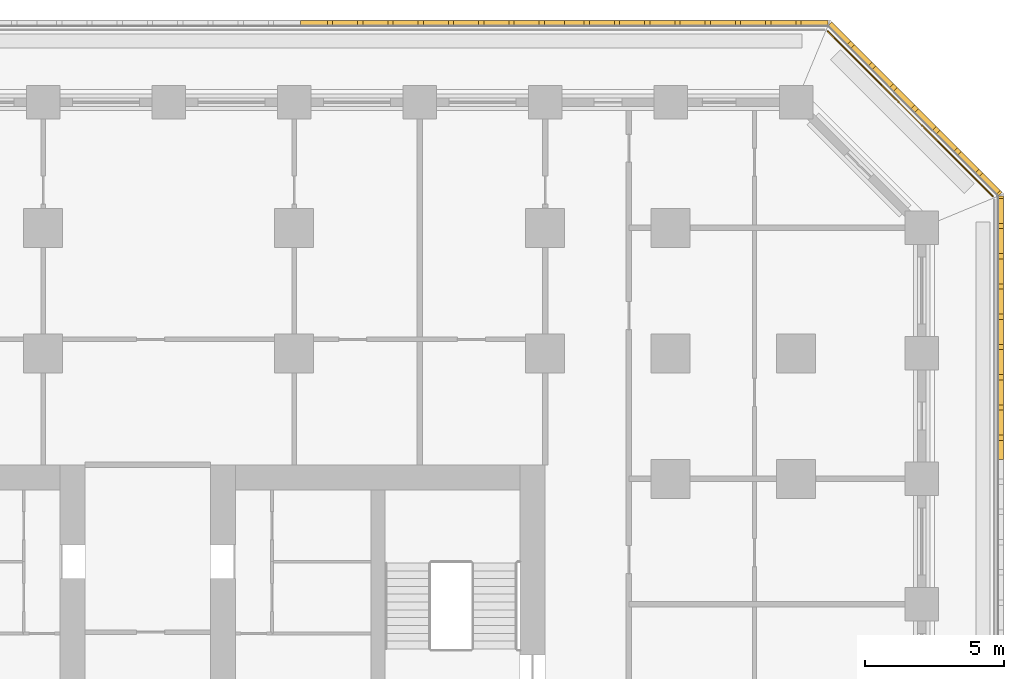
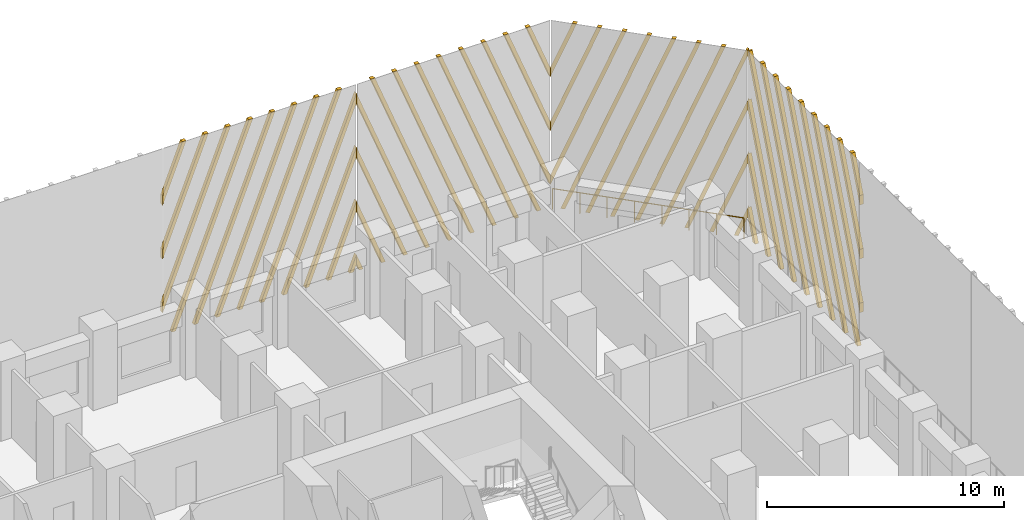
# One storey, part 19 of 20: 4 shading devices, 1 railing.
"""IFC4 building model written with IfcOpenShell, lengths in metres."""

from ifc_helpers import new_model, si_unit, direction, frame, origin, origin_2d, place, context, subcontext, project, spatial, polyline, circle, outline, extrude, source, transform, mapped, material, type_object, element, save


model = new_model("IFC4")

# Units and contexts
model_context = context("Model", 3, precision=1e-05, world=origin(), true_north=direction((0.0, 1.0)))
body_context = subcontext(model_context, "Body", "Model", "MODEL_VIEW")
ifc_project = project(units=[si_unit("LENGTHUNIT", "METRE"), si_unit("AREAUNIT", "SQUARE_METRE"), si_unit("VOLUMEUNIT", "CUBIC_METRE"), si_unit("PLANEANGLEUNIT", "RADIAN"), si_unit("MASSUNIT", "GRAM", prefix="KILO")], contexts=[model_context])

# Site, building, storey
site_placement = place(None, origin())
site = spatial("IfcSite", under=ifc_project, at=site_placement, CompositionType="ELEMENT")
building_placement = place(site_placement, origin())
building = spatial("IfcBuilding", under=site, at=building_placement, Name="Corbel Stack Research Tower", CompositionType="ELEMENT")
storey_placement = place(building_placement, frame((0.0, 0.0, 106.60009765625)))
storey = spatial("IfcBuildingStorey", under=building, at=storey_placement, Name="L24", CompositionType="ELEMENT", Elevation=106.60009765625)

# Railing
ifc_material_1 = material(Name="Powder-coated steel guard", Category="steel")
railing_type = type_object("IfcRailingType", Name="Steel and glass guard 1100", PredefinedType="GUARDRAIL", material=ifc_material_1)
railing_placement = place(storey_placement, frame((34.04931640625, 28.127685546875, 0.0)))
element("IfcRailing", 1, at=railing_placement, inside=storey, type_object=railing_type, Name="Loggia guard L24 NE", PredefinedType="GUARDRAIL", context=body_context, shape_type="SweptSolid", body=[
    extrude(circle(Radius=0.02392578125, at=origin_2d()), frame((0.0, 0.0, 1.076171875), z_axis=(-0.707106781187, 0.707106781187, 0.0), x_axis=(-0.707106781187, -0.707106781187, 0.0)), (0.0, 0.0, 1.0), 8.37451171875),
    extrude(circle(Radius=0.02099609375, at=origin_2d()), origin(), (0.0, 0.0, 1.0), 1.052001953125),
    extrude(circle(Radius=0.02099609375, at=origin_2d()), frame((-0.845947265625, 0.845947265625, 0.0)), (0.0, 0.0, 1.0), 1.052001953125),
    extrude(circle(Radius=0.02099609375, at=origin_2d()), frame((-1.69189453125, 1.69189453125, 0.0)), (0.0, 0.0, 1.0), 1.052001953125),
    extrude(circle(Radius=0.02099609375, at=origin_2d()), frame((-2.537841796875, 2.537841796875, 0.0)), (0.0, 0.0, 1.0), 1.052001953125),
    extrude(circle(Radius=0.02099609375, at=origin_2d()), frame((-3.3837890625, 3.3837890625, 0.0)), (0.0, 0.0, 1.0), 1.052001953125),
    extrude(circle(Radius=0.02099609375, at=origin_2d()), frame((-4.229736328125, 4.229736328125, 0.0)), (0.0, 0.0, 1.0), 1.052001953125),
    extrude(circle(Radius=0.02099609375, at=origin_2d()), frame((-5.07568359375, 5.07568359375, 0.0)), (0.0, 0.0, 1.0), 1.052001953125),
    extrude(circle(Radius=0.02099609375, at=origin_2d()), frame((-5.921630859375, 5.921630859375, 0.0)), (0.0, 0.0, 1.0), 1.052001953125),
])

# Shading devices
ifc_material_2 = material(Name="Precast terracotta", Category="masonry")
shading_device_type = type_object("IfcShadingDeviceType", Name="Terracotta screen panel", PredefinedType="USERDEFINED", material=ifc_material_2)
shared_shape_1 = source(origin(), body_context, "Body", "SweptSolid", [
    extrude(outline(polyline([(0.881103515625, 9.64990234375), (0.69091796875, 9.64990234375), (0.0, 7.880859375), (0.0, 7.394287109375), (0.881103515625, 9.64990234375)])), frame((0.0, 0.0, 0.0), z_axis=(0.0, -1.0, 0.0), x_axis=(1.0, 0.0, 0.0)), (0.0, 0.0, 1.0), 0.179931640625),
    extrude(outline(polyline([(1.965576171875, 9.64990234375), (1.775634765625, 9.64990234375), (0.0, 5.103515625), (0.0, 4.616943359375), (1.965576171875, 9.64990234375)])), frame((0.0, 0.0, 0.0), z_axis=(0.0, -1.0, 0.0), x_axis=(1.0, 0.0, 0.0)), (0.0, 0.0, 1.0), 0.179931640625),
    extrude(outline(polyline([(3.05029296875, 9.64990234375), (2.8603515625, 9.64990234375), (0.0, 2.326171875), (0.0, 1.839599609375), (3.05029296875, 9.64990234375)])), frame((0.0, 0.0, 0.0), z_axis=(0.0, -1.0, 0.0), x_axis=(1.0, 0.0, 0.0)), (0.0, 0.0, 1.0), 0.179931640625),
    extrude(outline(polyline([(0.3662109375, 0.0), (4.135009765625, 9.64990234375), (3.94482421875, 9.64990234375), (0.17626953125, 0.0), (0.3662109375, 0.0)])), frame((0.0, 0.0, 0.0), z_axis=(0.0, -1.0, 0.0), x_axis=(1.0, 0.0, 0.0)), (0.0, 0.0, 1.0), 0.179931640625),
    extrude(outline(polyline([(1.45068359375, 0.0), (5.219482421875, 9.64990234375), (5.029541015625, 9.64990234375), (1.2607421875, 0.0), (1.45068359375, 0.0)])), frame((0.0, 0.0, 0.0), z_axis=(0.0, -1.0, 0.0), x_axis=(1.0, 0.0, 0.0)), (0.0, 0.0, 1.0), 0.179931640625),
    extrude(outline(polyline([(2.535400390625, 0.0), (6.30419921875, 9.64990234375), (6.1142578125, 9.64990234375), (2.345458984375, 0.0), (2.535400390625, 0.0)])), frame((0.0, 0.0, 0.0), z_axis=(0.0, -1.0, 0.0), x_axis=(1.0, 0.0, 0.0)), (0.0, 0.0, 1.0), 0.179931640625),
    extrude(outline(polyline([(3.6201171875, 0.0), (7.388916015625, 9.64990234375), (7.198974609375, 9.64990234375), (3.43017578125, 0.0), (3.6201171875, 0.0)])), frame((0.0, 0.0, 0.0), z_axis=(0.0, -1.0, 0.0), x_axis=(1.0, 0.0, 0.0)), (0.0, 0.0, 1.0), 0.179931640625),
    extrude(outline(polyline([(4.704833984375, 0.0), (8.4736328125, 9.64990234375), (8.28369140625, 9.64990234375), (4.514892578125, 0.0), (4.704833984375, 0.0)])), frame((0.0, 0.0, 0.0), z_axis=(0.0, -1.0, 0.0), x_axis=(1.0, 0.0, 0.0)), (0.0, 0.0, 1.0), 0.179931640625),
    extrude(outline(polyline([(5.78955078125, 0.0), (9.45556640625, 9.38720703125), (9.45556640625, 9.64990234375), (9.368408203125, 9.64990234375), (5.599609375, 0.0), (5.78955078125, 0.0)])), frame((0.0, 0.0, 0.0), z_axis=(0.0, -1.0, 0.0), x_axis=(1.0, 0.0, 0.0)), (0.0, 0.0, 1.0), 0.179931640625),
    extrude(outline(polyline([(6.874267578125, 0.0), (9.45556640625, 6.60986328125), (9.45556640625, 7.096435546875), (6.68408203125, 0.0), (6.874267578125, 0.0)])), frame((0.0, 0.0, 0.0), z_axis=(0.0, -1.0, 0.0), x_axis=(1.0, 0.0, 0.0)), (0.0, 0.0, 1.0), 0.179931640625),
    extrude(outline(polyline([(7.958740234375, 0.0), (9.45556640625, 3.83251953125), (9.45556640625, 4.319091796875), (7.768798828125, 0.0), (7.958740234375, 0.0)])), frame((0.0, 0.0, 0.0), z_axis=(0.0, -1.0, 0.0), x_axis=(1.0, 0.0, 0.0)), (0.0, 0.0, 1.0), 0.179931640625),
    extrude(outline(polyline([(9.04345703125, 0.0), (9.45556640625, 1.055419921875), (9.45556640625, 1.541748046875), (8.853515625, 0.0), (9.04345703125, 0.0)])), frame((0.0, 0.0, 0.0), z_axis=(0.0, -1.0, 0.0), x_axis=(1.0, 0.0, 0.0)), (0.0, 0.0, 1.0), 0.179931640625),
])
shading_device_1_placement = place(storey_placement, frame((34.25, 18.68359375, 0.0), z_axis=(0.0, 0.0, 1.0), x_axis=(0.0, 1.0, 0.0)))
element("IfcShadingDevice", 2, at=shading_device_1_placement, inside=storey, type_object=shading_device_type, Name="Terracotta screen L24 E5", ObjectType="SCREEN", PredefinedType="USERDEFINED", context=body_context, shape_type="MappedRepresentation", body=[
    mapped(shared_shape_1, transform((0.0, 0.0, 0.0))),
])
shared_shape_2 = source(origin(), body_context, "Body", "SweptSolid", [
    extrude(outline(polyline([(0.60205078125, 0.0), (0.0, 1.541748046875), (0.0, 1.055419921875), (0.412109375, 0.0), (0.60205078125, 0.0)])), frame((0.0, 0.0, 0.0), z_axis=(0.0, -1.0, 0.0), x_axis=(1.0, 0.0, 0.0)), (0.0, 0.0, 1.0), 0.179931640625),
    extrude(outline(polyline([(1.686767578125, 0.0), (0.0, 4.319091796875), (0.0, 3.83251953125), (1.496826171875, 0.0), (1.686767578125, 0.0)])), frame((0.0, 0.0, 0.0), z_axis=(0.0, -1.0, 0.0), x_axis=(1.0, 0.0, 0.0)), (0.0, 0.0, 1.0), 0.179931640625),
    extrude(outline(polyline([(2.771484375, 0.0), (0.0, 7.096435546875), (0.0, 6.60986328125), (2.58154296875, 0.0), (2.771484375, 0.0)])), frame((0.0, 0.0, 0.0), z_axis=(0.0, -1.0, 0.0), x_axis=(1.0, 0.0, 0.0)), (0.0, 0.0, 1.0), 0.179931640625),
    extrude(outline(polyline([(3.856201171875, 0.0), (0.08740234375, 9.64990234375), (0.0, 9.64990234375), (0.0, 9.38720703125), (3.666015625, 0.0), (3.856201171875, 0.0)])), frame((0.0, 0.0, 0.0), z_axis=(0.0, -1.0, 0.0), x_axis=(1.0, 0.0, 0.0)), (0.0, 0.0, 1.0), 0.179931640625),
    extrude(outline(polyline([(4.94091796875, 0.0), (1.172119140625, 9.64990234375), (0.98193359375, 9.64990234375), (4.750732421875, 0.0), (4.94091796875, 0.0)])), frame((0.0, 0.0, 0.0), z_axis=(0.0, -1.0, 0.0), x_axis=(1.0, 0.0, 0.0)), (0.0, 0.0, 1.0), 0.179931640625),
    extrude(outline(polyline([(6.025390625, 0.0), (2.256591796875, 9.64990234375), (2.066650390625, 9.64990234375), (5.83544921875, 0.0), (6.025390625, 0.0)])), frame((0.0, 0.0, 0.0), z_axis=(0.0, -1.0, 0.0), x_axis=(1.0, 0.0, 0.0)), (0.0, 0.0, 1.0), 0.179931640625),
    extrude(outline(polyline([(7.110107421875, 0.0), (3.34130859375, 9.64990234375), (3.1513671875, 9.64990234375), (6.920166015625, 0.0), (7.110107421875, 0.0)])), frame((0.0, 0.0, 0.0), z_axis=(0.0, -1.0, 0.0), x_axis=(1.0, 0.0, 0.0)), (0.0, 0.0, 1.0), 0.179931640625),
    extrude(outline(polyline([(8.19482421875, 0.0), (4.426025390625, 9.64990234375), (4.236083984375, 9.64990234375), (8.0048828125, 0.0), (8.19482421875, 0.0)])), frame((0.0, 0.0, 0.0), z_axis=(0.0, -1.0, 0.0), x_axis=(1.0, 0.0, 0.0)), (0.0, 0.0, 1.0), 0.179931640625),
    extrude(outline(polyline([(5.5107421875, 9.64990234375), (5.32080078125, 9.64990234375), (8.64208984375, 1.1455078125), (8.64208984375, 1.6318359375), (5.5107421875, 9.64990234375)])), frame((0.0, 0.0, 0.0), z_axis=(0.0, -1.0, 0.0), x_axis=(1.0, 0.0, 0.0)), (0.0, 0.0, 1.0), 0.179931640625),
    extrude(outline(polyline([(6.595458984375, 9.64990234375), (6.405517578125, 9.64990234375), (8.64208984375, 3.922607421875), (8.64208984375, 4.4091796875), (6.595458984375, 9.64990234375)])), frame((0.0, 0.0, 0.0), z_axis=(0.0, -1.0, 0.0), x_axis=(1.0, 0.0, 0.0)), (0.0, 0.0, 1.0), 0.179931640625),
    extrude(outline(polyline([(7.679931640625, 9.64990234375), (7.489990234375, 9.64990234375), (8.64208984375, 6.699951171875), (8.64208984375, 7.1865234375), (7.679931640625, 9.64990234375)])), frame((0.0, 0.0, 0.0), z_axis=(0.0, -1.0, 0.0), x_axis=(1.0, 0.0, 0.0)), (0.0, 0.0, 1.0), 0.179931640625),
])
shading_device_2_placement = place(storey_placement, frame((34.25, 28.13916015625, 0.0), z_axis=(0.0, 0.0, 1.0), x_axis=(-0.707106781187, 0.707106781187, 0.0)))
element("IfcShadingDevice", 3, at=shading_device_2_placement, inside=storey, type_object=shading_device_type, Name="Terracotta screen L24 NE1", ObjectType="SCREEN", PredefinedType="USERDEFINED", context=body_context, shape_type="MappedRepresentation", body=[
    mapped(shared_shape_2, transform((0.0, 0.0, 0.0))),
])
shared_shape_3 = source(origin(), body_context, "Body", "SweptSolid", [
    extrude(outline(polyline([(1.152099609375, 9.64990234375), (0.962158203125, 9.64990234375), (0.0, 7.1865234375), (0.0, 6.699951171875), (1.152099609375, 9.64990234375)])), frame((0.0, 0.0, 0.0), z_axis=(0.0, -1.0, 0.0), x_axis=(1.0, 0.0, 0.0)), (0.0, 0.0, 1.0), 0.179931640625),
    extrude(outline(polyline([(2.23681640625, 9.64990234375), (2.046875, 9.64990234375), (0.0, 4.4091796875), (0.0, 3.922607421875), (2.23681640625, 9.64990234375)])), frame((0.0, 0.0, 0.0), z_axis=(0.0, -1.0, 0.0), x_axis=(1.0, 0.0, 0.0)), (0.0, 0.0, 1.0), 0.179931640625),
    extrude(outline(polyline([(3.3212890625, 9.64990234375), (3.13134765625, 9.64990234375), (0.0, 1.6318359375), (0.0, 1.1455078125), (3.3212890625, 9.64990234375)])), frame((0.0, 0.0, 0.0), z_axis=(0.0, -1.0, 0.0), x_axis=(1.0, 0.0, 0.0)), (0.0, 0.0, 1.0), 0.179931640625),
    extrude(outline(polyline([(0.63720703125, 0.0), (4.406005859375, 9.64990234375), (4.216064453125, 9.64990234375), (0.447265625, 0.0), (0.63720703125, 0.0)])), frame((0.0, 0.0, 0.0), z_axis=(0.0, -1.0, 0.0), x_axis=(1.0, 0.0, 0.0)), (0.0, 0.0, 1.0), 0.179931640625),
    extrude(outline(polyline([(1.721923828125, 0.0), (5.49072265625, 9.64990234375), (5.30078125, 9.64990234375), (1.531982421875, 0.0), (1.721923828125, 0.0)])), frame((0.0, 0.0, 0.0), z_axis=(0.0, -1.0, 0.0), x_axis=(1.0, 0.0, 0.0)), (0.0, 0.0, 1.0), 0.179931640625),
    extrude(outline(polyline([(2.806640625, 0.0), (6.575439453125, 9.64990234375), (6.385498046875, 9.64990234375), (2.61669921875, 0.0), (2.806640625, 0.0)])), frame((0.0, 0.0, 0.0), z_axis=(0.0, -1.0, 0.0), x_axis=(1.0, 0.0, 0.0)), (0.0, 0.0, 1.0), 0.179931640625),
    extrude(outline(polyline([(3.891357421875, 0.0), (7.66015625, 9.64990234375), (7.47021484375, 9.64990234375), (3.701416015625, 0.0), (3.891357421875, 0.0)])), frame((0.0, 0.0, 0.0), z_axis=(0.0, -1.0, 0.0), x_axis=(1.0, 0.0, 0.0)), (0.0, 0.0, 1.0), 0.179931640625),
    extrude(outline(polyline([(4.97607421875, 0.0), (8.744873046875, 9.64990234375), (8.5546875, 9.64990234375), (4.785888671875, 0.0), (4.97607421875, 0.0)])), frame((0.0, 0.0, 0.0), z_axis=(0.0, -1.0, 0.0), x_axis=(1.0, 0.0, 0.0)), (0.0, 0.0, 1.0), 0.179931640625),
    extrude(outline(polyline([(6.060791015625, 0.0), (9.45556640625, 8.69287109375), (9.45556640625, 9.179443359375), (5.87060546875, 0.0), (6.060791015625, 0.0)])), frame((0.0, 0.0, 0.0), z_axis=(0.0, -1.0, 0.0), x_axis=(1.0, 0.0, 0.0)), (0.0, 0.0, 1.0), 0.179931640625),
    extrude(outline(polyline([(7.145263671875, 0.0), (9.45556640625, 5.91552734375), (9.45556640625, 6.402099609375), (6.955322265625, 0.0), (7.145263671875, 0.0)])), frame((0.0, 0.0, 0.0), z_axis=(0.0, -1.0, 0.0), x_axis=(1.0, 0.0, 0.0)), (0.0, 0.0, 1.0), 0.179931640625),
    extrude(outline(polyline([(8.22998046875, 0.0), (9.45556640625, 3.13818359375), (9.45556640625, 3.624755859375), (8.0400390625, 0.0), (8.22998046875, 0.0)])), frame((0.0, 0.0, 0.0), z_axis=(0.0, -1.0, 0.0), x_axis=(1.0, 0.0, 0.0)), (0.0, 0.0, 1.0), 0.179931640625),
    extrude(outline(polyline([(9.314697265625, 0.0), (9.45556640625, 0.361083984375), (9.45556640625, 0.847412109375), (9.124755859375, 0.0), (9.314697265625, 0.0)])), frame((0.0, 0.0, 0.0), z_axis=(0.0, -1.0, 0.0), x_axis=(1.0, 0.0, 0.0)), (0.0, 0.0, 1.0), 0.179931640625),
])
shading_device_3_placement = place(storey_placement, frame((28.13916015625, 34.25, 0.0), z_axis=(0.0, 0.0, 1.0), x_axis=(-1.0, 0.0, 0.0)))
element("IfcShadingDevice", 4, at=shading_device_3_placement, inside=storey, type_object=shading_device_type, Name="Terracotta screen L24 N1", ObjectType="SCREEN", PredefinedType="USERDEFINED", context=body_context, shape_type="MappedRepresentation", body=[
    mapped(shared_shape_3, transform((0.0, 0.0, 0.0))),
])
shared_shape_4 = source(origin(), body_context, "Body", "SweptSolid", [
    extrude(outline(polyline([(0.3310546875, 0.0), (0.0, 0.847412109375), (0.0, 0.361083984375), (0.14111328125, 0.0), (0.3310546875, 0.0)])), frame((0.0, 0.0, 0.0), z_axis=(0.0, -1.0, 0.0), x_axis=(1.0, 0.0, 0.0)), (0.0, 0.0, 1.0), 0.179931640625),
    extrude(outline(polyline([(1.41552734375, 0.0), (0.0, 3.624755859375), (0.0, 3.13818359375), (1.2255859375, 0.0), (1.41552734375, 0.0)])), frame((0.0, 0.0, 0.0), z_axis=(0.0, -1.0, 0.0), x_axis=(1.0, 0.0, 0.0)), (0.0, 0.0, 1.0), 0.179931640625),
    extrude(outline(polyline([(2.500244140625, 0.0), (0.0, 6.402099609375), (0.0, 5.91552734375), (2.310302734375, 0.0), (2.500244140625, 0.0)])), frame((0.0, 0.0, 0.0), z_axis=(0.0, -1.0, 0.0), x_axis=(1.0, 0.0, 0.0)), (0.0, 0.0, 1.0), 0.179931640625),
    extrude(outline(polyline([(3.5849609375, 0.0), (0.0, 9.179443359375), (0.0, 8.69287109375), (3.39501953125, 0.0), (3.5849609375, 0.0)])), frame((0.0, 0.0, 0.0), z_axis=(0.0, -1.0, 0.0), x_axis=(1.0, 0.0, 0.0)), (0.0, 0.0, 1.0), 0.179931640625),
    extrude(outline(polyline([(4.669677734375, 0.0), (0.90087890625, 9.64990234375), (0.7109375, 9.64990234375), (4.4794921875, 0.0), (4.669677734375, 0.0)])), frame((0.0, 0.0, 0.0), z_axis=(0.0, -1.0, 0.0), x_axis=(1.0, 0.0, 0.0)), (0.0, 0.0, 1.0), 0.179931640625),
    extrude(outline(polyline([(5.75439453125, 0.0), (1.985595703125, 9.64990234375), (1.79541015625, 9.64990234375), (5.564208984375, 0.0), (5.75439453125, 0.0)])), frame((0.0, 0.0, 0.0), z_axis=(0.0, -1.0, 0.0), x_axis=(1.0, 0.0, 0.0)), (0.0, 0.0, 1.0), 0.179931640625),
    extrude(outline(polyline([(6.839111328125, 0.0), (3.0703125, 9.64990234375), (2.880126953125, 9.64990234375), (6.64892578125, 0.0), (6.839111328125, 0.0)])), frame((0.0, 0.0, 0.0), z_axis=(0.0, -1.0, 0.0), x_axis=(1.0, 0.0, 0.0)), (0.0, 0.0, 1.0), 0.179931640625),
    extrude(outline(polyline([(7.923583984375, 0.0), (4.15478515625, 9.64990234375), (3.96484375, 9.64990234375), (7.733642578125, 0.0), (7.923583984375, 0.0)])), frame((0.0, 0.0, 0.0), z_axis=(0.0, -1.0, 0.0), x_axis=(1.0, 0.0, 0.0)), (0.0, 0.0, 1.0), 0.179931640625),
    extrude(outline(polyline([(9.00830078125, 0.0), (5.239501953125, 9.64990234375), (5.049560546875, 9.64990234375), (8.818359375, 0.0), (9.00830078125, 0.0)])), frame((0.0, 0.0, 0.0), z_axis=(0.0, -1.0, 0.0), x_axis=(1.0, 0.0, 0.0)), (0.0, 0.0, 1.0), 0.179931640625),
    extrude(outline(polyline([(6.32421875, 9.64990234375), (6.13427734375, 9.64990234375), (9.45556640625, 1.1455078125), (9.45556640625, 1.6318359375), (6.32421875, 9.64990234375)])), frame((0.0, 0.0, 0.0), z_axis=(0.0, -1.0, 0.0), x_axis=(1.0, 0.0, 0.0)), (0.0, 0.0, 1.0), 0.179931640625),
    extrude(outline(polyline([(7.408935546875, 9.64990234375), (7.218994140625, 9.64990234375), (9.45556640625, 3.922607421875), (9.45556640625, 4.4091796875), (7.408935546875, 9.64990234375)])), frame((0.0, 0.0, 0.0), z_axis=(0.0, -1.0, 0.0), x_axis=(1.0, 0.0, 0.0)), (0.0, 0.0, 1.0), 0.179931640625),
    extrude(outline(polyline([(8.493408203125, 9.64990234375), (8.303466796875, 9.64990234375), (9.45556640625, 6.699951171875), (9.45556640625, 7.1865234375), (8.493408203125, 9.64990234375)])), frame((0.0, 0.0, 0.0), z_axis=(0.0, -1.0, 0.0), x_axis=(1.0, 0.0, 0.0)), (0.0, 0.0, 1.0), 0.179931640625),
])
shading_device_4_placement = place(storey_placement, frame((18.68359375, 34.25, 0.0), z_axis=(0.0, 0.0, 1.0), x_axis=(-1.0, 0.0, 0.0)))
element("IfcShadingDevice", 5, at=shading_device_4_placement, inside=storey, type_object=shading_device_type, Name="Terracotta screen L24 N2", ObjectType="SCREEN", PredefinedType="USERDEFINED", context=body_context, shape_type="MappedRepresentation", body=[
    mapped(shared_shape_4, transform((0.0, 0.0, 0.0))),
])

save(model, "model.ifc")
